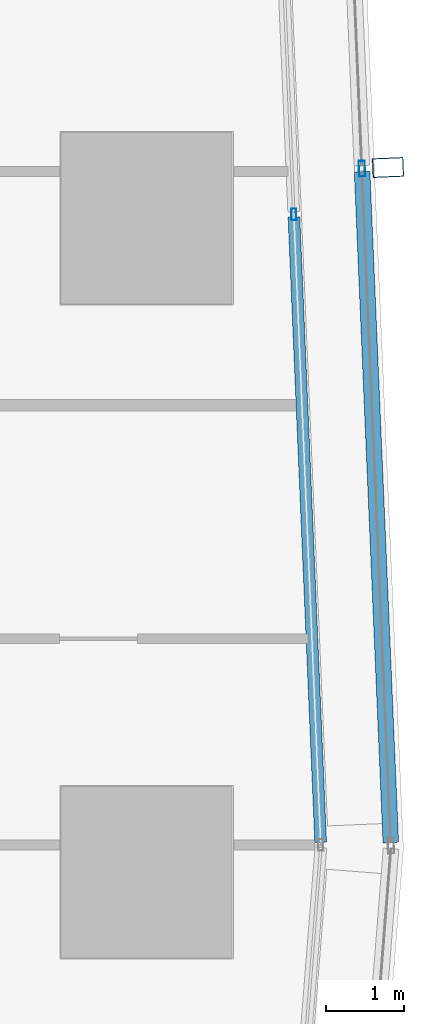
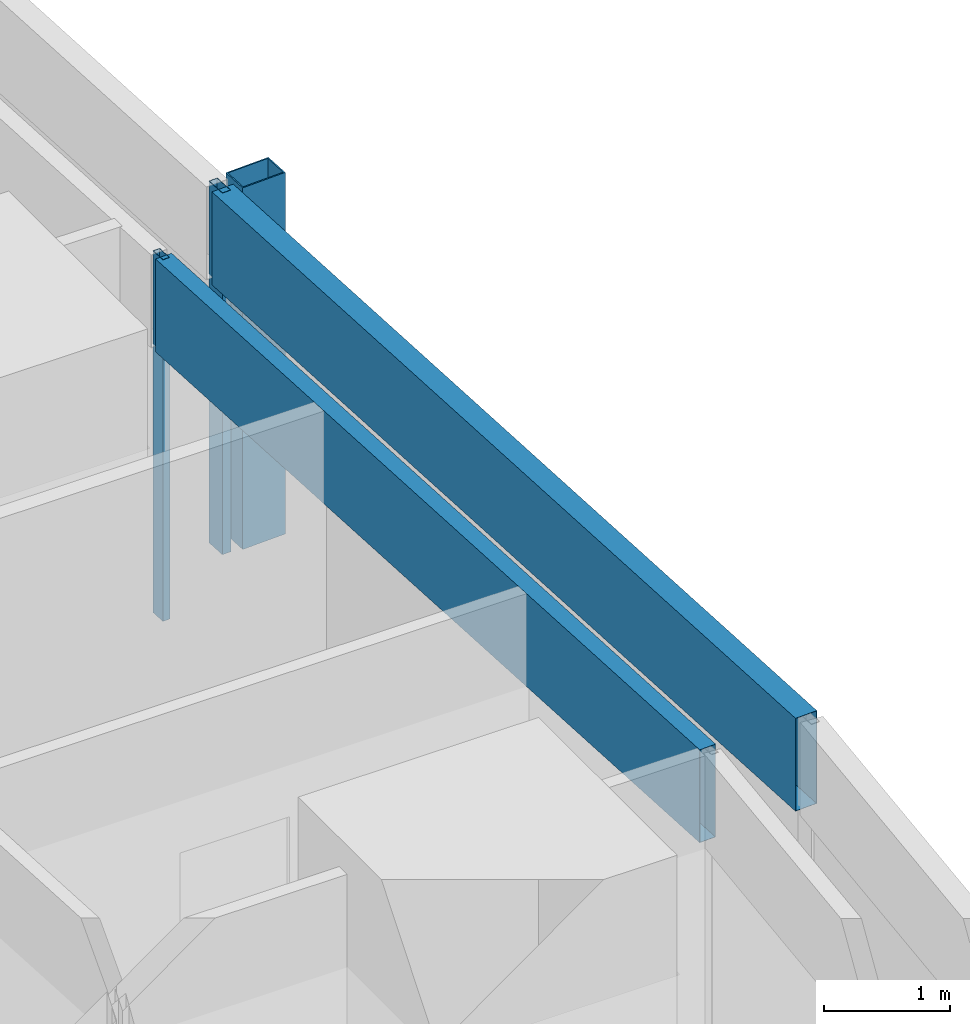
# One storey, part 27 of 44: 5 members, 2 elements without a shape of their own.
"""IFC4 building model written with IfcOpenShell, lengths in metres."""

from ifc_helpers import new_model, si_unit, direction, frame, origin, origin_2d, place, context, subcontext, project, spatial, hollow_rectangle, extrude, material, material_profile, profile_set, type_object, element, aggregate, save


model = new_model("IFC4")

# Units and contexts
model_context = context("Model", 3, precision=1e-05, world=origin(), true_north=direction((0.0, 1.0)))
body_context = subcontext(model_context, "Body", "Model", "MODEL_VIEW")
ifc_project = project(units=[si_unit("LENGTHUNIT", "METRE"), si_unit("AREAUNIT", "SQUARE_METRE"), si_unit("VOLUMEUNIT", "CUBIC_METRE"), si_unit("PLANEANGLEUNIT", "RADIAN"), si_unit("MASSUNIT", "GRAM", prefix="KILO")], contexts=[model_context])

# Site, building, storey
site_placement = place(None, origin())
site = spatial("IfcSite", under=ifc_project, at=site_placement, CompositionType="ELEMENT")
building_placement = place(site_placement, origin())
building = spatial("IfcBuilding", under=site, at=building_placement, Name="Rekha Terrace Tower", CompositionType="ELEMENT")
storey_placement = place(building_placement, frame((0.0, 0.0, 74.14990234375)))
storey = spatial("IfcBuildingStorey", under=building, at=storey_placement, Name="L18", CompositionType="ELEMENT", Elevation=74.14990234375)

# Curtain wall, member
ifc_material_1 = material(Name="Aluminium framing", Category="aluminium")
curtain_wall_type_1 = type_object("IfcCurtainWallType", Name="CW2 double skin outer glazing", PredefinedType="USERDEFINED", material=ifc_material_1)
curtain_wall_1_placement = place(storey_placement, origin())
curtain_wall_1 = element("IfcCurtainWall", 1, at=curtain_wall_1_placement, inside=storey, type_object=curtain_wall_type_1, Name="CW2 double skin outer glazing", ObjectType="DOUBLE SKIN OUTER GLAZING", PredefinedType="USERDEFINED")
ifc_material_2 = material(Name="Steel S355 with fluorocarbon finish", Category="steel")
ifc_material_profile_1 = material_profile(ifc_material_2, hollow_rectangle(XDim=0.25, YDim=0.39990234375, WallThickness=0.012451171875, at=origin_2d()), Name="RHS400x250x12.5")
ifc_profile_set_1 = profile_set([ifc_material_profile_1], Name="Steel S355 with fluorocarbon finish")
member_type_1 = type_object("IfcMemberType", Name="BL1 facade blade RHS 400 x 250", PredefinedType="USERDEFINED", material=ifc_profile_set_1)
member_1_placement = place(storey_placement, frame((70.301025390625, 34.2529296875, 0.0), z_axis=(0.0, 0.0, 1.0), x_axis=(-0.04269522475, 0.99908814315, 0.0)))
member_1 = element("IfcMember", 2, at=member_1_placement, type_object=member_type_1, Name="Facade blade", ObjectType="FACADE BLADE", PredefinedType="USERDEFINED", context=body_context, shape_type="SweptSolid", body=[
    extrude(hollow_rectangle(XDim=0.25, YDim=0.39990234375, WallThickness=0.012451171875, at=origin_2d()), origin(), (0.0, 0.0, 1.0), 3.5),
])

# Curtain wall, members
curtain_wall_type_2 = type_object("IfcCurtainWallType", Name="CW1 double skin inner glazing", PredefinedType="USERDEFINED", material=ifc_material_1)
curtain_wall_2_placement = place(storey_placement, origin())
curtain_wall_2 = element("IfcCurtainWall", 3, at=curtain_wall_2_placement, inside=storey, type_object=curtain_wall_type_2, Name="CW1 double skin inner glazing", ObjectType="DOUBLE SKIN INNER GLAZING", PredefinedType="USERDEFINED")
ifc_material_3 = material(Name="Aluminium mullion section", Category="aluminium")
ifc_material_profile_2 = material_profile(ifc_material_3, hollow_rectangle(XDim=0.06494140625, YDim=0.14990234375, WallThickness=0.00390625, at=origin_2d()), Name="AL RHS 65x150")
ifc_profile_set_2 = profile_set([ifc_material_profile_2], Name="Aluminium mullion section")
member_type_2 = type_object("IfcMemberType", Name="CW1 mullion RHS 65 x 150", PredefinedType="MULLION", material=ifc_profile_set_2)
member_2_placement = place(storey_placement, frame((69.0908203125, 33.650390625, 0.0), z_axis=(0.0, 0.0, 1.0), x_axis=(-0.999088106904, -0.042696072921, 0.0)))
member_2 = element("IfcMember", 4, at=member_2_placement, type_object=member_type_2, Name="CW1 mullion 2", PredefinedType="MULLION", context=body_context, shape_type="SweptSolid", body=[
    extrude(hollow_rectangle(XDim=0.06494140625, YDim=0.14990234375, WallThickness=0.00390625, at=origin_2d()), origin(), (0.0, 0.0, 1.0), 3.5),
])
ifc_material_4 = material(Name="Insulated aluminium spandrel box", Category="aluminium")
ifc_material_profile_3 = material_profile(ifc_material_4, hollow_rectangle(XDim=0.14990234375, YDim=0.89990234375, WallThickness=0.0029296875, at=origin_2d()), Name="AL SPANDREL BOX 150x900")
ifc_profile_set_3 = profile_set([ifc_material_profile_3], Name="Insulated aluminium spandrel box")
member_type_3 = type_object("IfcMemberType", Name="CW1 spandrel transom 150 x 900", PredefinedType="USERDEFINED", material=ifc_profile_set_3)
member_3_placement = place(storey_placement, frame((69.435546875, 25.584228515625, 3.050048828125), z_axis=(-0.042719126599, 0.999087121438, 0.0), x_axis=(-0.999087121438, -0.042719126599, 0.0)))
member_3 = element("IfcMember", 5, at=member_3_placement, type_object=member_type_3, Name="CW1 spandrel transom 1", ObjectType="TRANSOM", PredefinedType="USERDEFINED", context=body_context, shape_type="SweptSolid", body=[
    extrude(hollow_rectangle(XDim=0.14990234375, YDim=0.89990234375, WallThickness=0.0029296875, at=origin_2d()), origin(), (0.0, 0.0, 1.0), 8.041015625),
])
aggregate(curtain_wall_2, [member_2, member_3])

# Member
ifc_material_profile_4 = material_profile(ifc_material_3, hollow_rectangle(XDim=0.080078125, YDim=0.199951171875, WallThickness=0.00390625, at=origin_2d()), Name="AL RHS 80x200")
ifc_profile_set_4 = profile_set([ifc_material_profile_4], Name="Aluminium mullion section")
member_type_4 = type_object("IfcMemberType", Name="CW2 mullion RHS 80 x 200", PredefinedType="MULLION", material=ifc_profile_set_4)
member_4_placement = place(storey_placement, frame((69.96630859375, 34.23876953125, 0.0), z_axis=(0.0, 0.0, 1.0), x_axis=(-0.999088106903, -0.042696072956, 0.0)))
member_4 = element("IfcMember", 6, at=member_4_placement, type_object=member_type_4, Name="CW2 mullion 2", PredefinedType="MULLION", context=body_context, shape_type="SweptSolid", body=[
    extrude(hollow_rectangle(XDim=0.080078125, YDim=0.199951171875, WallThickness=0.00390625, at=origin_2d()), origin(), (0.0, 0.0, 1.0), 3.5),
])

ifc_material_profile_5 = material_profile(ifc_material_4, hollow_rectangle(XDim=0.199951171875, YDim=0.89990234375, WallThickness=0.0029296875, at=origin_2d()), Name="AL SPANDREL BOX 200x900")
ifc_profile_set_5 = profile_set([ifc_material_profile_5], Name="Insulated aluminium spandrel box")
member_type_5 = type_object("IfcMemberType", Name="CW2 spandrel transom 200 x 900", PredefinedType="USERDEFINED", material=ifc_profile_set_5)
member_5_placement = place(storey_placement, frame((70.33642578125, 25.582763671875, 3.050048828125), z_axis=(-0.042719742329, 0.99908709511, 0.0), x_axis=(-0.99908709511, -0.042719742329, 0.0)))
member_5 = element("IfcMember", 7, at=member_5_placement, type_object=member_type_5, Name="CW2 spandrel transom 1", ObjectType="TRANSOM", PredefinedType="USERDEFINED", context=body_context, shape_type="SweptSolid", body=[
    extrude(hollow_rectangle(XDim=0.199951171875, YDim=0.89990234375, WallThickness=0.0029296875, at=origin_2d()), origin(), (0.0, 0.0, 1.0), 8.623779296875),
])

aggregate(curtain_wall_1, [member_4, member_5, member_1])

save(model, "model.ifc")
